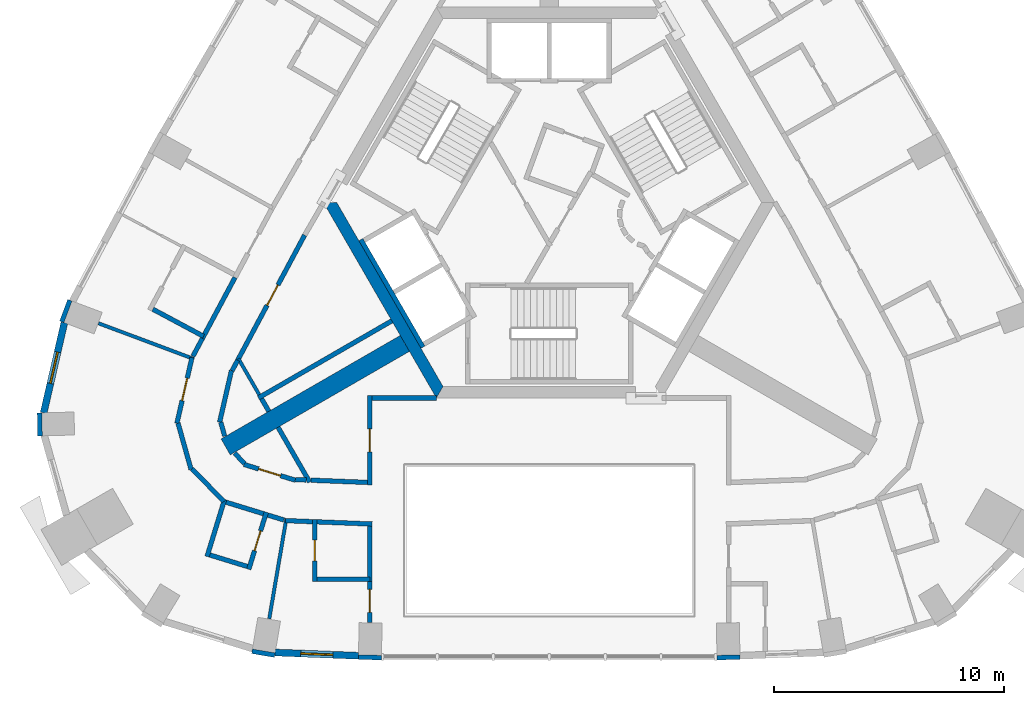
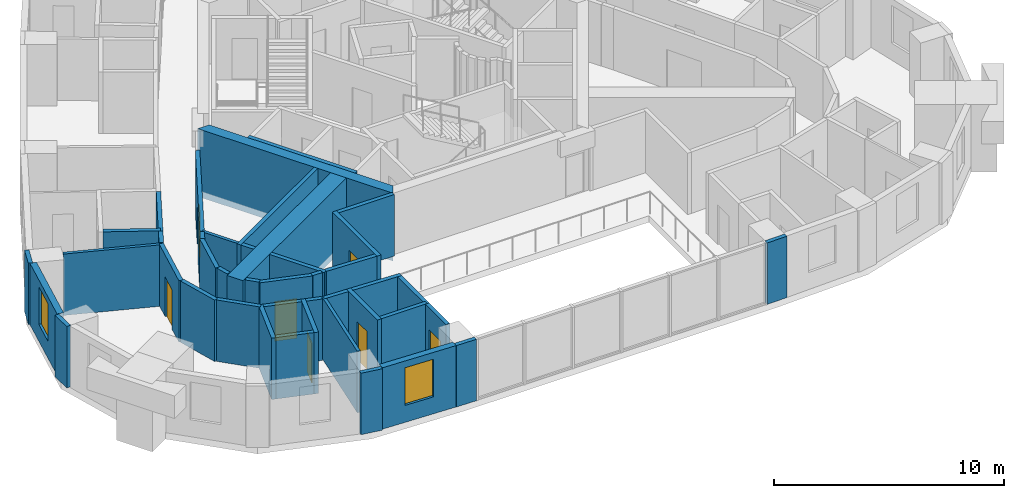
# One storey, part 2 of 10: 43 walls, 7 doors, 2 windows, 9 openings.
"""IFC4 building model written with IfcOpenShell, lengths in metres."""

from ifc_helpers import new_model, si_unit, direction, frame, frame_2d, origin, place, context, subcontext, project, spatial, polyline, rectangle, outline, extrude, material, layer, layer_set, type_object, element, fill, save


model = new_model("IFC4")

# Units and contexts
model_context = context("Model", 3, precision=1e-05, world=origin(), true_north=direction((0.0, 1.0)))
body_context = subcontext(model_context, "Body", "Model", "MODEL_VIEW")
ifc_project = project(units=[si_unit("LENGTHUNIT", "METRE"), si_unit("AREAUNIT", "SQUARE_METRE"), si_unit("VOLUMEUNIT", "CUBIC_METRE"), si_unit("PLANEANGLEUNIT", "RADIAN"), si_unit("MASSUNIT", "GRAM", prefix="KILO")], contexts=[model_context])

# Site, building, storey
site_placement = place(None, origin())
site = spatial("IfcSite", under=ifc_project, at=site_placement, CompositionType="ELEMENT")
building_placement = place(site_placement, origin())
building = spatial("IfcBuilding", under=site, at=building_placement, Name="Entoto Arch Interchange Tower", CompositionType="ELEMENT")
storey_placement = place(building_placement, frame((0.0, 0.0, 293.60009765625)))
storey = spatial("IfcBuildingStorey", under=building, at=storey_placement, Name="L68", CompositionType="ELEMENT", Elevation=293.60009765625)

# Walls
ifc_material_1 = material(Name="Concrete C40/50", Category="concrete")
ifc_layer_1 = layer(ifc_material_1, 0.800048828125)
ifc_layer_set_1 = layer_set([ifc_layer_1], Name="Concrete C40/50")
wall_type_1 = type_object("IfcWallType", Name="Buttress wall 800 C40/50", PredefinedType="SHEAR", material=ifc_layer_set_1)
wall_1_placement = place(storey_placement, frame((-6.279052734375, -3.625, -0.340087890625), z_axis=(0.0, 0.0, 1.0), x_axis=(-0.866017533419, -0.500013631625, 0.0)))
element("IfcWall", 1, at=wall_1_placement, inside=storey, type_object=wall_type_1, Name="Buttress wall SW L68", PredefinedType="SHEAR", context=body_context, shape_type="SweptSolid", body=[
    extrude(rectangle(XDim=8.999755859375, YDim=0.800048828125, at=frame_2d((4.5, 0.0))), origin(), (0.0, 0.0, 1.0), 3.60009765625),
])
ifc_layer_2 = layer(ifc_material_1, 0.5)
ifc_layer_set_2 = layer_set([ifc_layer_2], Name="Concrete C40/50")
wall_type_2 = type_object("IfcWallType", Name="Core wall 500 C40/50", PredefinedType="SHEAR", material=ifc_layer_set_2)
wall_2_placement = place(storey_placement, frame((0.0, 0.0, -0.340087890625)))
element("IfcWall", 2, at=wall_2_placement, inside=storey, type_object=wall_type_2, Name="Core wall SW L68", PredefinedType="SHEAR", context=body_context, shape_type="SweptSolid", body=[
    extrude(outline(polyline([(-9.81494140625, 2.5), (-4.906982421875, -6.0), (-4.618896484375, -5.5), (-9.238037109375, 2.5), (-9.81494140625, 2.5)])), origin(), (0.0, 0.0, 1.0), 3.60009765625),
])
ifc_layer_3 = layer(ifc_material_1, 0.199951171875)
ifc_layer_set_3 = layer_set([ifc_layer_3], Name="Concrete C40/50")
wall_type_3 = type_object("IfcWallType", Name="LIFT SHAFT WALL 200", PredefinedType="STANDARD", material=ifc_layer_set_3)
wall_3_placement = place(storey_placement, frame((-8.19189453125, 0.887939453125, 0.0), z_axis=(0.0, 0.0, 1.0), x_axis=(0.500034260056, -0.866005622828, 0.0)))
element("IfcWall", 3, at=wall_3_placement, inside=storey, type_object=wall_type_3, Name="Shaft wall SW1 back", PredefinedType="STANDARD", context=body_context, shape_type="SweptSolid", body=[
    extrude(rectangle(XDim=5.3994140625, YDim=0.199951171875, at=frame_2d((2.69970703125, 0.0))), origin(), (0.0, 0.0, 1.0), 3.260009765625),
])
ifc_material_2 = material(Name="Gypsum board partition on steel studs", Category="steel")
ifc_layer_4 = layer(ifc_material_2, 0.14990234375)
ifc_layer_set_4 = layer_set([ifc_layer_4], Name="Gypsum board partition on steel studs")
wall_type_4 = type_object("IfcWallType", Name="PARTITION 150", PredefinedType="PARTITIONING", material=ifc_layer_set_4)
wall_4_placement = place(storey_placement, frame((-12.611083984375, -5.85693359375, 0.0), z_axis=(0.0, 0.0, 1.0), x_axis=(-0.500120037633, 0.865956088932, 0.0)))
element("IfcWall", 4, at=wall_4_placement, inside=storey, type_object=wall_type_4, Name="wall:L68:p083", PredefinedType="PARTITIONING", context=body_context, shape_type="SweptSolid", body=[
    extrude(rectangle(XDim=1.80712890625, YDim=0.14990234375, at=frame_2d((0.903564453125, 0.0))), origin(), (0.0, 0.0, 1.0), 3.260009765625),
])
wall_5_placement = place(storey_placement, frame((-15.449951171875, -4.303955078125, 0.0), z_axis=(0.0, 0.0, 1.0), x_axis=(-0.936458128132, 0.350779381172, 0.0)))
element("IfcWall", 5, at=wall_5_placement, inside=storey, type_object=wall_type_4, Name="wall:L68:p126", PredefinedType="PARTITIONING", context=body_context, shape_type="SweptSolid", body=[
    extrude(rectangle(XDim=4.432861328125, YDim=0.14990234375, at=frame_2d((2.21630859375, 0.0))), origin(), (0.0, 0.0, 1.0), 3.260009765625),
])
wall_6_placement = place(storey_placement, frame((-11.431884765625, -11.23388671875, 0.0), z_axis=(0.0, 0.0, 1.0), x_axis=(-0.16797255243, -0.98579167253, 0.0)))
element("IfcWall", 6, at=wall_6_placement, inside=storey, type_object=wall_type_4, Name="wall:L68:p130", PredefinedType="PARTITIONING", context=body_context, shape_type="SweptSolid", body=[
    extrude(rectangle(XDim=4.43017578125, YDim=0.14990234375, at=frame_2d((2.215087890625, 0.0))), origin(), (0.0, 0.0, 1.0), 3.260009765625),
])

# Wall, opening, door
ifc_layer_5 = layer(ifc_material_2, 0.199951171875)
ifc_layer_set_5 = layer_set([ifc_layer_5], Name="Gypsum board partition on steel studs")
wall_type_5 = type_object("IfcWallType", Name="PARTITION 200", PredefinedType="PARTITIONING", material=ifc_layer_set_5)
wall_7_placement = place(storey_placement, frame((-10.638916015625, 1.083984375, 0.0), z_axis=(0.0, 0.0, 1.0), x_axis=(-0.471696599276, -0.881760918975, 0.0)))
wall_7 = element("IfcWall", 7, at=wall_7_placement, inside=storey, type_object=wall_type_5, Name="wall:L68:p022", PredefinedType="PARTITIONING", context=body_context, shape_type="SweptSolid", body=[
    extrude(rectangle(XDim=6.171630859375, YDim=0.199951171875, at=frame_2d((3.0859375, 0.0))), origin(), (0.0, 0.0, 1.0), 3.260009765625),
])
opening_1_placement = place(wall_7_placement, frame((2.4580078125, 0.0, 0.0)))
opening_1 = element("IfcOpeningElement", 8, at=opening_1_placement, cuts=wall_7, Name="Opening L68-D31", PredefinedType="OPENING", context=body_context, shape_type="SweptSolid", body=[
    extrude(rectangle(XDim=1.0, YDim=2.10009765625, at=frame_2d((0.5, 1.050048828125))), frame((0.0, 0.10986328125, 0.0), z_axis=(0.0, -1.0, 0.0), x_axis=(1.0, 0.0, 0.0)), (0.0, 0.0, 1.0), 0.219970703125),
])
ifc_material_3 = material(Name="Timber door leaf in Steel S235 frame", Category="steel")
door_type_1 = type_object("IfcDoorType", Name="DOOR DS-10 1000x2100", OperationType="SINGLE_SWING_LEFT", PredefinedType="DOOR", material=ifc_material_3)
door_1_placement = place(opening_1_placement, origin())
door_1 = element("IfcDoor", 9, at=door_1_placement, inside=storey, type_object=door_type_1, Name="door:L68:31", OperationType="SINGLE_SWING_LEFT", OverallHeight=2.10009765625, OverallWidth=1.0, PredefinedType="DOOR", context=body_context, shape_type="SweptSolid", body=[
    extrude(rectangle(XDim=1.0, YDim=2.10009765625, at=frame_2d((0.5, 1.050048828125))), frame((0.0, 0.02490234375, 0.0), z_axis=(0.0, -1.0, 0.0), x_axis=(1.0, 0.0, 0.0)), (0.0, 0.0, 1.0), 0.050048828125),
])
fill(opening_1, door_1)

# Walls
wall_8_placement = place(storey_placement, frame((-10.366943359375, -9.573974609375, 0.0), z_axis=(0.0, 0.0, 1.0), x_axis=(0.999229139158, -0.039257196264, 0.0)))
element("IfcWall", 10, at=wall_8_placement, inside=storey, type_object=wall_type_5, Name="wall:L68:p023", PredefinedType="PARTITIONING", context=body_context, shape_type="SweptSolid", body=[
    extrude(rectangle(XDim=2.468994140625, YDim=0.199951171875, at=frame_2d((1.234375, 0.0))), origin(), (0.0, 0.0, 1.0), 3.260009765625),
])
wall_9_placement = place(storey_placement, frame((-13.550048828125, -4.35791015625, 0.0), z_axis=(0.0, 0.0, 1.0), x_axis=(-0.472169364753, -0.881507850781, 0.0)))
element("IfcWall", 11, at=wall_9_placement, inside=storey, type_object=wall_type_5, Name="wall:L68:p024", PredefinedType="PARTITIONING", context=body_context, shape_type="SweptSolid", body=[
    extrude(rectangle(XDim=0.520751953125, YDim=0.199951171875, at=frame_2d((0.26025390625, 0.0))), origin(), (0.0, 0.0, 1.0), 3.260009765625),
])
wall_10_placement = place(storey_placement, frame((-13.821044921875, -4.80810546875, 0.0), z_axis=(0.0, 0.0, 1.0), x_axis=(-0.223248099856, -0.97476165595, 0.0)))
element("IfcWall", 12, at=wall_10_placement, inside=storey, type_object=wall_type_5, Name="wall:L68:p025", PredefinedType="PARTITIONING", context=body_context, shape_type="SweptSolid", body=[
    extrude(rectangle(XDim=2.302001953125, YDim=0.199951171875, at=frame_2d((1.15087890625, 0.0))), origin(), (0.0, 0.0, 1.0), 3.260009765625),
])
wall_11_placement = place(storey_placement, frame((-14.285888671875, -7.051025390625, 0.0), z_axis=(0.0, 0.0, 1.0), x_axis=(0.270633612894, -0.96268242301, 0.0)))
element("IfcWall", 13, at=wall_11_placement, inside=storey, type_object=wall_type_5, Name="wall:L68:p026", PredefinedType="PARTITIONING", context=body_context, shape_type="SweptSolid", body=[
    extrude(rectangle(XDim=0.631591796875, YDim=0.199951171875, at=frame_2d((0.31591796875, 0.0))), origin(), (0.0, 0.0, 1.0), 3.260009765625),
])
wall_12_placement = place(storey_placement, frame((-13.68994140625, -8.39501953125, 0.0), z_axis=(0.0, 0.0, 1.0), x_axis=(0.698333537371, -0.715772499181, 0.0)))
element("IfcWall", 14, at=wall_12_placement, inside=storey, type_object=wall_type_5, Name="wall:L68:p027", PredefinedType="PARTITIONING", context=body_context, shape_type="SweptSolid", body=[
    extrude(rectangle(XDim=0.6298828125, YDim=0.199951171875, at=frame_2d((0.31494140625, 0.0))), origin(), (0.0, 0.0, 1.0), 3.260009765625),
])

# Wall, opening, door
wall_13_placement = place(storey_placement, frame((-13.27490234375, -8.887939453125, 0.0), z_axis=(0.0, 0.0, 1.0), x_axis=(0.955792602122, -0.294041666654, 0.0)))
wall_13 = element("IfcWall", 15, at=wall_13_placement, inside=storey, type_object=wall_type_5, Name="wall:L68:p028", PredefinedType="PARTITIONING", context=body_context, shape_type="SweptSolid", body=[
    extrude(rectangle(XDim=2.329833984375, YDim=0.199951171875, at=frame_2d((1.1650390625, 0.0))), origin(), (0.0, 0.0, 1.0), 3.260009765625),
])
opening_2_placement = place(wall_13_placement, frame((0.6650390625, 0.0, 0.0)))
opening_2 = element("IfcOpeningElement", 16, at=opening_2_placement, cuts=wall_13, Name="Opening L68-D33", PredefinedType="OPENING", context=body_context, shape_type="SweptSolid", body=[
    extrude(rectangle(XDim=1.0, YDim=2.10009765625, at=frame_2d((0.5, 1.050048828125))), frame((0.0, 0.10986328125, 0.0), z_axis=(0.0, -1.0, 0.0), x_axis=(1.0, 0.0, 0.0)), (0.0, 0.0, 1.0), 0.219970703125),
])
door_2_placement = place(opening_2_placement, origin())
door_2 = element("IfcDoor", 17, at=door_2_placement, inside=storey, type_object=door_type_1, Name="door:L68:33", OperationType="SINGLE_SWING_LEFT", OverallHeight=2.10009765625, OverallWidth=1.0, PredefinedType="DOOR", context=body_context, shape_type="SweptSolid", body=[
    extrude(rectangle(XDim=1.0, YDim=2.10009765625, at=frame_2d((0.5, 1.050048828125))), frame((0.0, 0.02490234375, 0.0), z_axis=(0.0, -1.0, 0.0), x_axis=(1.0, 0.0, 0.0)), (0.0, 0.0, 1.0), 0.050048828125),
])
fill(opening_2, door_2)

# Walls
wall_14_placement = place(storey_placement, frame((-11.0439453125, -9.547119140625, 0.0), z_axis=(0.0, 0.0, 1.0), x_axis=(0.999224473046, -0.039375785274, 0.0)))
element("IfcWall", 18, at=wall_14_placement, inside=storey, type_object=wall_type_5, Name="wall:L68:p029", PredefinedType="PARTITIONING", context=body_context, shape_type="SweptSolid", body=[
    extrude(rectangle(XDim=0.4775390625, YDim=0.199951171875, at=frame_2d((0.23876953125, 0.0))), origin(), (0.0, 0.0, 1.0), 3.260009765625),
])
wall_15_placement = place(storey_placement, frame((-15.49609375, -4.179931640625, 0.0), z_axis=(0.0, 0.0, 1.0), x_axis=(0.471280380621, 0.881983448167, 0.0)))
element("IfcWall", 19, at=wall_15_placement, inside=storey, type_object=wall_type_5, Name="wall:L68:p052", PredefinedType="PARTITIONING", context=body_context, shape_type="SweptSolid", body=[
    extrude(rectangle(XDim=0.878662109375, YDim=0.199951171875, at=frame_2d((0.439453125, 0.0))), origin(), (0.0, 0.0, 1.0), 3.260009765625),
])
wall_16_placement = place(storey_placement, frame((-15.08203125, -3.405029296875, 0.0), z_axis=(0.0, 0.0, 1.0), x_axis=(0.471719946084, 0.88174842924, 0.0)))
element("IfcWall", 20, at=wall_16_placement, inside=storey, type_object=wall_type_5, Name="wall:L68:p053", PredefinedType="PARTITIONING", context=body_context, shape_type="SweptSolid", body=[
    extrude(rectangle(XDim=2.999755859375, YDim=0.199951171875, at=frame_2d((1.5, 0.0))), origin(), (0.0, 0.0, 1.0), 3.260009765625),
])
wall_17_placement = place(storey_placement, frame((-11.5439453125, -11.302978515625, 0.0), z_axis=(0.0, 0.0, 1.0), x_axis=(-0.956186468463, 0.292758326147, 0.0)))
element("IfcWall", 21, at=wall_17_placement, inside=storey, type_object=wall_type_5, Name="wall:L68:p054", PredefinedType="PARTITIONING", context=body_context, shape_type="SweptSolid", body=[
    extrude(rectangle(XDim=0.723876953125, YDim=0.199951171875, at=frame_2d((0.36181640625, 0.0))), origin(), (0.0, 0.0, 1.0), 3.260009765625),
])
wall_18_placement = place(storey_placement, frame((-14.14697265625, -10.5029296875, 0.0), z_axis=(0.0, 0.0, 1.0), x_axis=(-0.698515752779, 0.715594677957, 0.0)))
element("IfcWall", 22, at=wall_18_placement, inside=storey, type_object=wall_type_5, Name="wall:L68:p055", PredefinedType="PARTITIONING", context=body_context, shape_type="SweptSolid", body=[
    extrude(rectangle(XDim=1.987060546875, YDim=0.199951171875, at=frame_2d((0.99365234375, 0.0))), origin(), (0.0, 0.0, 1.0), 3.260009765625),
])
wall_19_placement = place(storey_placement, frame((-15.577880859375, -9.10595703125, 0.0), z_axis=(0.0, 0.0, 1.0), x_axis=(-0.270688011946, 0.962667128445, 0.0)))
element("IfcWall", 23, at=wall_19_placement, inside=storey, type_object=wall_type_5, Name="wall:L68:p056", PredefinedType="PARTITIONING", context=body_context, shape_type="SweptSolid", body=[
    extrude(rectangle(XDim=2.087890625, YDim=0.199951171875, at=frame_2d((1.0439453125, 0.0))), origin(), (0.0, 0.0, 1.0), 3.260009765625),
])

# Wall, opening, door
wall_20_placement = place(storey_placement, frame((-16.19189453125, -7.097900390625, 0.0), z_axis=(0.0, 0.0, 1.0), x_axis=(0.22330023395, 0.974749714295, 0.0)))
wall_20 = element("IfcWall", 24, at=wall_20_placement, inside=storey, type_object=wall_type_5, Name="wall:L68:p057", PredefinedType="PARTITIONING", context=body_context, shape_type="SweptSolid", body=[
    extrude(rectangle(XDim=2.927978515625, YDim=0.199951171875, at=frame_2d((1.4638671875, 0.0))), origin(), (0.0, 0.0, 1.0), 3.260009765625),
])
opening_3_placement = place(wall_20_placement, frame((1.013916015625, 0.0, 0.0)))
opening_3 = element("IfcOpeningElement", 25, at=opening_3_placement, cuts=wall_20, Name="Opening L68-D24", PredefinedType="OPENING", context=body_context, shape_type="SweptSolid", body=[
    extrude(rectangle(XDim=1.0, YDim=2.10009765625, at=frame_2d((0.5, 1.050048828125))), frame((0.0, 0.10986328125, 0.0), z_axis=(0.0, -1.0, 0.0), x_axis=(1.0, 0.0, 0.0)), (0.0, 0.0, 1.0), 0.219970703125),
])
ifc_material_4 = material(Name="Fire-rated Steel S235 door and frame", Category="steel")
door_type_2 = type_object("IfcDoorType", Name="DOOR FD-10 1000x2100", OperationType="SINGLE_SWING_LEFT", PredefinedType="DOOR", material=ifc_material_4)
door_3_placement = place(opening_3_placement, origin())
door_3 = element("IfcDoor", 26, at=door_3_placement, inside=storey, type_object=door_type_2, Name="door:L68:24", OperationType="SINGLE_SWING_LEFT", OverallHeight=2.10009765625, OverallWidth=1.0, PredefinedType="DOOR", context=body_context, shape_type="SweptSolid", body=[
    extrude(rectangle(XDim=1.0, YDim=2.10009765625, at=frame_2d((0.5, 1.050048828125))), frame((0.0, 0.02490234375, 0.0), z_axis=(0.0, -1.0, 0.0), x_axis=(1.0, 0.0, 0.0)), (0.0, 0.0, 1.0), 0.050048828125),
])
fill(opening_3, door_3)

# Walls
wall_21_placement = place(storey_placement, frame((-12.427001953125, -11.031982421875, 0.0), z_axis=(0.0, 0.0, 1.0), x_axis=(-0.955940341053, 0.293561006177, 0.0)))
element("IfcWall", 27, at=wall_21_placement, inside=storey, type_object=wall_type_5, Name="wall:L68:p058", PredefinedType="PARTITIONING", context=body_context, shape_type="SweptSolid", body=[
    extrude(rectangle(XDim=1.699951171875, YDim=0.199951171875, at=frame_2d((0.85009765625, 0.0))), origin(), (0.0, 0.0, 1.0), 3.260009765625),
])
wall_22_placement = place(storey_placement, frame((-10.299072265625, -11.3779296875, 0.0), z_axis=(0.0, 0.0, 1.0), x_axis=(-0.999237995813, 0.03903111224, 0.0)))
element("IfcWall", 28, at=wall_22_placement, inside=storey, type_object=wall_type_5, Name="wall:L68:p059", PredefinedType="PARTITIONING", context=body_context, shape_type="SweptSolid", body=[
    extrude(rectangle(XDim=1.176025390625, YDim=0.199951171875, at=frame_2d((0.587890625, 0.0))), origin(), (0.0, 0.0, 1.0), 3.260009765625),
])
wall_23_placement = place(storey_placement, frame((-7.699951171875, -11.47998046875, 0.0), z_axis=(0.0, 0.0, 1.0), x_axis=(-0.999233433291, 0.039147743138, 0.0)))
element("IfcWall", 29, at=wall_23_placement, inside=storey, type_object=wall_type_5, Name="wall:L68:p060", PredefinedType="PARTITIONING", context=body_context, shape_type="SweptSolid", body=[
    extrude(rectangle(XDim=2.401123046875, YDim=0.199951171875, at=frame_2d((1.20068359375, 0.0))), origin(), (0.0, 0.0, 1.0), 3.260009765625),
])

# Wall, opening, door
wall_24_placement = place(storey_placement, frame((-7.800048828125, -9.77490234375, 0.0), z_axis=(0.0, 0.0, 1.0), x_axis=(0.0, 1.0, 0.0)))
wall_24 = element("IfcWall", 30, at=wall_24_placement, inside=storey, type_object=wall_type_5, Name="wall:L68:p075", PredefinedType="PARTITIONING", context=body_context, shape_type="SweptSolid", body=[
    extrude(rectangle(XDim=3.8759765625, YDim=0.199951171875, at=frame_2d((1.93798828125, 0.0))), origin(), (0.0, 0.0, 1.0), 3.260009765625),
])
opening_4_placement = place(wall_24_placement, frame((1.43798828125, 0.0, 0.0)))
opening_4 = element("IfcOpeningElement", 31, at=opening_4_placement, cuts=wall_24, Name="Opening L68-D32", PredefinedType="OPENING", context=body_context, shape_type="SweptSolid", body=[
    extrude(rectangle(XDim=1.0, YDim=2.10009765625, at=frame_2d((0.5, 1.050048828125))), frame((0.0, 0.10986328125, 0.0), z_axis=(0.0, -1.0, 0.0), x_axis=(1.0, 0.0, 0.0)), (0.0, 0.0, 1.0), 0.219970703125),
])
door_4_placement = place(opening_4_placement, origin())
door_4 = element("IfcDoor", 32, at=door_4_placement, inside=storey, type_object=door_type_1, Name="door:L68:32", OperationType="SINGLE_SWING_LEFT", OverallHeight=2.10009765625, OverallWidth=1.0, PredefinedType="DOOR", context=body_context, shape_type="SweptSolid", body=[
    extrude(rectangle(XDim=1.0, YDim=2.10009765625, at=frame_2d((0.5, 1.050048828125))), frame((0.0, 0.02490234375, 0.0), z_axis=(0.0, -1.0, 0.0), x_axis=(1.0, 0.0, 0.0)), (0.0, 0.0, 1.0), 0.050048828125),
])
fill(opening_4, door_4)

# Wall
wall_25_placement = place(storey_placement, frame((-7.699951171875, -5.9990234375, 0.0), z_axis=(0.0, 0.0, 1.0), x_axis=(1.0, 0.0, 0.0)))
element("IfcWall", 33, at=wall_25_placement, inside=storey, type_object=wall_type_5, Name="wall:L68:p076", PredefinedType="PARTITIONING", context=body_context, shape_type="SweptSolid", body=[
    extrude(rectangle(XDim=2.7919921875, YDim=0.199951171875, at=frame_2d((1.39599609375, 0.0))), origin(), (0.0, 0.0, 1.0), 3.260009765625),
])

# Wall, opening, door
wall_26_placement = place(storey_placement, frame((-7.800048828125, -15.760986328125, 0.0), z_axis=(0.0, 0.0, 1.0), x_axis=(0.0, 1.0, 0.0)))
wall_26 = element("IfcWall", 34, at=wall_26_placement, inside=storey, type_object=wall_type_5, Name="wall:L68:p079", PredefinedType="PARTITIONING", context=body_context, shape_type="SweptSolid", body=[
    extrude(rectangle(XDim=1.784912109375, YDim=0.199951171875, at=frame_2d((0.892578125, 0.0))), origin(), (0.0, 0.0, 1.0), 3.260009765625),
])
opening_5_placement = place(wall_26_placement, frame((0.44189453125, 0.0, 0.0)))
opening_5 = element("IfcOpeningElement", 35, at=opening_5_placement, cuts=wall_26, Name="Opening L68-D26", PredefinedType="OPENING", context=body_context, shape_type="SweptSolid", body=[
    extrude(rectangle(XDim=1.0, YDim=2.10009765625, at=frame_2d((0.5, 1.050048828125))), frame((0.0, 0.10986328125, 0.0), z_axis=(0.0, -1.0, 0.0), x_axis=(1.0, 0.0, 0.0)), (0.0, 0.0, 1.0), 0.219970703125),
])
door_5_placement = place(opening_5_placement, origin())
door_5 = element("IfcDoor", 36, at=door_5_placement, inside=storey, type_object=door_type_2, Name="door:L68:26", OperationType="SINGLE_SWING_RIGHT", OverallHeight=2.10009765625, OverallWidth=1.0, PredefinedType="DOOR", context=body_context, shape_type="SweptSolid", body=[
    extrude(rectangle(XDim=1.0, YDim=2.10009765625, at=frame_2d((0.5, 1.050048828125))), frame((0.0, 0.02490234375, 0.0), z_axis=(0.0, -1.0, 0.0), x_axis=(1.0, 0.0, 0.0)), (0.0, 0.0, 1.0), 0.050048828125),
])
fill(opening_5, door_5)

# Walls
wall_27_placement = place(storey_placement, frame((-7.800048828125, -13.97607421875, 0.0), z_axis=(0.0, 0.0, 1.0), x_axis=(0.0, 1.0, 0.0)))
element("IfcWall", 37, at=wall_27_placement, inside=storey, type_object=wall_type_5, Name="wall:L68:p080", PredefinedType="PARTITIONING", context=body_context, shape_type="SweptSolid", body=[
    extrude(rectangle(XDim=2.400146484375, YDim=0.199951171875, at=frame_2d((1.2001953125, 0.0))), origin(), (0.0, 0.0, 1.0), 3.260009765625),
])
wall_28_placement = place(storey_placement, frame((-6.844970703125, -2.64306640625, 0.0), z_axis=(0.0, 0.0, 1.0), x_axis=(-0.865994457699, -0.500053596362, 0.0)))
element("IfcWall", 38, at=wall_28_placement, inside=storey, type_object=wall_type_5, Name="wall:L68:p082", PredefinedType="PARTITIONING", context=body_context, shape_type="SweptSolid", body=[
    extrude(rectangle(XDim=6.700927734375, YDim=0.199951171875, at=frame_2d((3.3505859375, 0.0))), origin(), (0.0, 0.0, 1.0), 3.260009765625),
])
wall_29_placement = place(storey_placement, frame((-10.4169921875, -9.656982421875, 0.0), z_axis=(0.0, 0.0, 1.0), x_axis=(-0.499837531988, 0.866119184418, 0.0)))
element("IfcWall", 39, at=wall_29_placement, inside=storey, type_object=wall_type_5, Name="wall:L68:p084", PredefinedType="PARTITIONING", context=body_context, shape_type="SweptSolid", body=[
    extrude(rectangle(XDim=2.7548828125, YDim=0.199951171875, at=frame_2d((1.37744140625, 0.0))), origin(), (0.0, 0.0, 1.0), 3.260009765625),
])
wall_30_placement = place(storey_placement, frame((-17.239013671875, -2.136962890625, 0.0), z_axis=(0.0, 0.0, 1.0), x_axis=(0.881706262609, -0.471798756332, 0.0)))
element("IfcWall", 40, at=wall_30_placement, inside=storey, type_object=wall_type_5, Name="wall:L68:p125", PredefinedType="PARTITIONING", context=body_context, shape_type="SweptSolid", body=[
    extrude(rectangle(XDim=2.5009765625, YDim=0.199951171875, at=frame_2d((1.25048828125, 0.0))), origin(), (0.0, 0.0, 1.0), 3.260009765625),
])
wall_31_placement = place(storey_placement, frame((-14.117919921875, -10.407958984375, 0.0), z_axis=(0.0, 0.0, 1.0), x_axis=(-0.293914282011, -0.955831781659, 0.0)))
element("IfcWall", 41, at=wall_31_placement, inside=storey, type_object=wall_type_5, Name="wall:L68:p127", PredefinedType="PARTITIONING", context=body_context, shape_type="SweptSolid", body=[
    extrude(rectangle(XDim=2.599853515625, YDim=0.199951171875, at=frame_2d((1.2998046875, 0.0))), origin(), (0.0, 0.0, 1.0), 3.260009765625),
])
wall_32_placement = place(storey_placement, frame((-14.757080078125, -12.826904296875, 0.0), z_axis=(0.0, 0.0, 1.0), x_axis=(0.955940341053, -0.293561006177, 0.0)))
element("IfcWall", 42, at=wall_32_placement, inside=storey, type_object=wall_type_5, Name="wall:L68:p128", PredefinedType="PARTITIONING", context=body_context, shape_type="SweptSolid", body=[
    extrude(rectangle(XDim=1.699951171875, YDim=0.199951171875, at=frame_2d((0.85009765625, 0.0))), origin(), (0.0, 0.0, 1.0), 3.260009765625),
])

# Wall, opening, door
wall_33_placement = place(storey_placement, frame((-13.06591796875, -13.450927734375, 0.0), z_axis=(0.0, 0.0, 1.0), x_axis=(0.293854864179, 0.955850050373, 0.0)))
wall_33 = element("IfcWall", 43, at=wall_33_placement, inside=storey, type_object=wall_type_5, Name="wall:L68:p129", PredefinedType="PARTITIONING", context=body_context, shape_type="SweptSolid", body=[
    extrude(rectangle(XDim=2.599609375, YDim=0.199951171875, at=frame_2d((1.2998046875, 0.0))), origin(), (0.0, 0.0, 1.0), 3.260009765625),
])
opening_6_placement = place(wall_33_placement, frame((0.85009765625, 0.0, 0.0)))
opening_6 = element("IfcOpeningElement", 44, at=opening_6_placement, cuts=wall_33, Name="Opening L68-D25", PredefinedType="OPENING", context=body_context, shape_type="SweptSolid", body=[
    extrude(rectangle(XDim=0.89990234375, YDim=2.10009765625, at=frame_2d((0.449951171875, 1.050048828125))), frame((0.0, 0.10986328125, 0.0), z_axis=(0.0, -1.0, 0.0), x_axis=(1.0, 0.0, 0.0)), (0.0, 0.0, 1.0), 0.219970703125),
])
door_type_3 = type_object("IfcDoorType", Name="DOOR DS-09 900x2100", OperationType="SINGLE_SWING_LEFT", PredefinedType="DOOR", material=ifc_material_3)
door_6_placement = place(opening_6_placement, origin())
door_6 = element("IfcDoor", 45, at=door_6_placement, inside=storey, type_object=door_type_3, Name="door:L68:25", OperationType="SINGLE_SWING_LEFT", OverallHeight=2.10009765625, OverallWidth=0.89990234375, PredefinedType="DOOR", context=body_context, shape_type="SweptSolid", body=[
    extrude(rectangle(XDim=0.89990234375, YDim=2.10009765625, at=frame_2d((0.449951171875, 1.050048828125))), frame((0.0, 0.02490234375, 0.0), z_axis=(0.0, -1.0, 0.0), x_axis=(1.0, 0.0, 0.0)), (0.0, 0.0, 1.0), 0.050048828125),
])
fill(opening_6, door_6)

wall_34_placement = place(storey_placement, frame((-10.198974609375, -11.281982421875, 0.0), z_axis=(0.0, 0.0, 1.0), x_axis=(-0.000362482985, -0.999999934303, 0.0)))
wall_34 = element("IfcWall", 46, at=wall_34_placement, inside=storey, type_object=wall_type_5, Name="wall:L68:p131", PredefinedType="PARTITIONING", context=body_context, shape_type="SweptSolid", body=[
    extrude(rectangle(XDim=2.694091796875, YDim=0.199951171875, at=frame_2d((1.34716796875, 0.0))), origin(), (0.0, 0.0, 1.0), 3.260009765625),
])
opening_7_placement = place(wall_34_placement, frame((0.89697265625, 0.0, 0.0)))
opening_7 = element("IfcOpeningElement", 47, at=opening_7_placement, cuts=wall_34, Name="Opening L68-D27", PredefinedType="OPENING", context=body_context, shape_type="SweptSolid", body=[
    extrude(rectangle(XDim=0.89990234375, YDim=2.10009765625, at=frame_2d((0.449951171875, 1.050048828125))), frame((0.0, 0.10986328125, 0.0), z_axis=(0.0, -1.0, 0.0), x_axis=(1.0, 0.0, 0.0)), (0.0, 0.0, 1.0), 0.219970703125),
])
door_7_placement = place(opening_7_placement, origin())
door_7 = element("IfcDoor", 48, at=door_7_placement, inside=storey, type_object=door_type_3, Name="door:L68:27", OperationType="SINGLE_SWING_LEFT", OverallHeight=2.10009765625, OverallWidth=0.89990234375, PredefinedType="DOOR", context=body_context, shape_type="SweptSolid", body=[
    extrude(rectangle(XDim=0.89990234375, YDim=2.10009765625, at=frame_2d((0.449951171875, 1.050048828125))), frame((0.0, 0.02490234375, 0.0), z_axis=(0.0, -1.0, 0.0), x_axis=(1.0, 0.0, 0.0)), (0.0, 0.0, 1.0), 0.050048828125),
])
fill(opening_7, door_7)

# Walls
wall_35_placement = place(storey_placement, frame((-10.10009765625, -13.8759765625, 0.0), z_axis=(0.0, 0.0, 1.0), x_axis=(1.0, 0.0, 0.0)))
element("IfcWall", 49, at=wall_35_placement, inside=storey, type_object=wall_type_5, Name="wall:L68:p132", PredefinedType="PARTITIONING", context=body_context, shape_type="SweptSolid", body=[
    extrude(rectangle(XDim=2.300048828125, YDim=0.199951171875, at=frame_2d((1.14990234375, 0.0))), origin(), (0.0, 0.0, 1.0), 3.260009765625),
])
wall_36_placement = place(storey_placement, frame((-12.194091796875, -6.577880859375, 0.0), z_axis=(0.0, 0.0, 1.0), x_axis=(-0.500701704226, 0.865619895442, 0.0)))
element("IfcWall", 50, at=wall_36_placement, inside=storey, type_object=wall_type_5, Name="wall:L68:p084", PredefinedType="PARTITIONING", context=body_context, shape_type="SweptSolid", body=[
    extrude(rectangle(XDim=0.6328125, YDim=0.199951171875, at=frame_2d((0.31640625, 0.0))), origin(), (0.0, 0.0, 1.0), 3.260009765625),
])

# Wall, opening, window
ifc_material_5 = material(Name="Welded tuff (ignimbrite) cladding, warm buff", Category="masonry")
ifc_layer_6 = layer(ifc_material_5, 0.300048828125)
ifc_layer_set_6 = layer_set([ifc_layer_6], Name="Welded tuff (ignimbrite) cladding, warm buff")
wall_type_6 = type_object("IfcWallType", Name="STONE INFILL WALL 300", PredefinedType="STANDARD", material=ifc_layer_set_6)
wall_37_placement = place(storey_placement, frame((-11.919921875, -17.069091796875, 0.0), z_axis=(0.0, 0.0, 1.0), x_axis=(0.999234893779, -0.039110446866, 0.0)))
wall_37 = element("IfcWall", 51, at=wall_37_placement, inside=storey, type_object=wall_type_6, Name="Facade wall S-01 L68", PredefinedType="STANDARD", context=body_context, shape_type="SweptSolid", body=[
    extrude(rectangle(XDim=3.626708984375, YDim=0.300048828125, at=frame_2d((1.8134765625, 0.0))), origin(), (0.0, 0.0, 1.0), 3.260009765625),
])
opening_8_placement = place(wall_37_placement, frame((1.113037109375, 0.0, 0.89990234375)))
opening_8 = element("IfcOpeningElement", 52, at=opening_8_placement, cuts=wall_37, Name="Opening WH-B", PredefinedType="OPENING", context=body_context, shape_type="SweptSolid", body=[
    extrude(rectangle(XDim=1.39990234375, YDim=2.0, at=frame_2d((0.699951171875, 1.0))), frame((0.0, 0.16015625, 0.0), z_axis=(0.0, -1.0, 0.0), x_axis=(1.0, 0.0, 0.0)), (0.0, 0.0, 1.0), 0.320068359375),
])
ifc_material_6 = material(Name="Clear glass, low-e double glazed", Category="glass")
window_type = type_object("IfcWindowType", Name="WINDOW WH-B 1400x2000", PartitioningType="DOUBLE_PANEL_VERTICAL", PredefinedType="WINDOW", material=ifc_material_6)
window_1_placement = place(opening_8_placement, origin())
window_1 = element("IfcWindow", 53, at=window_1_placement, inside=storey, type_object=window_type, Name="Window WH-B S-01 L68", OverallHeight=2.0, OverallWidth=1.39990234375, PartitioningType="SINGLE_PANEL", PredefinedType="WINDOW", context=body_context, shape_type="SweptSolid", body=[
    extrude(rectangle(XDim=1.39990234375, YDim=2.0, at=frame_2d((0.699951171875, 1.0))), frame((0.0, 0.030029296875, 0.0), z_axis=(0.0, -1.0, 0.0), x_axis=(1.0, 0.0, 0.0)), (0.0, 0.0, 1.0), 0.06005859375),
])
fill(opening_8, window_1)

wall_38_placement = place(storey_placement, frame((-21.089111328125, -2.72509765625, 0.0), z_axis=(0.0, 0.0, 1.0), x_axis=(-0.223448307338, -0.974715781112, 0.0)))
wall_38 = element("IfcWall", 54, at=wall_38_placement, inside=storey, type_object=wall_type_6, Name="Facade wall SW-01 L68", PredefinedType="STANDARD", context=body_context, shape_type="SweptSolid", body=[
    extrude(rectangle(XDim=4.0185546875, YDim=0.300048828125, at=frame_2d((2.00927734375, 0.0))), origin(), (0.0, 0.0, 1.0), 3.260009765625),
])
opening_9_placement = place(wall_38_placement, frame((1.30908203125, 0.0, 0.89990234375)))
opening_9 = element("IfcOpeningElement", 55, at=opening_9_placement, cuts=wall_38, Name="Opening WH-B", PredefinedType="OPENING", context=body_context, shape_type="SweptSolid", body=[
    extrude(rectangle(XDim=1.39990234375, YDim=2.0, at=frame_2d((0.699951171875, 1.0))), frame((0.0, 0.16015625, 0.0), z_axis=(0.0, -1.0, 0.0), x_axis=(1.0, 0.0, 0.0)), (0.0, 0.0, 1.0), 0.320068359375),
])
window_2_placement = place(opening_9_placement, origin())
window_2 = element("IfcWindow", 56, at=window_2_placement, inside=storey, type_object=window_type, Name="Window WH-B SW-01 L68", OverallHeight=2.0, OverallWidth=1.39990234375, PartitioningType="SINGLE_PANEL", PredefinedType="WINDOW", context=body_context, shape_type="SweptSolid", body=[
    extrude(rectangle(XDim=1.39990234375, YDim=2.0, at=frame_2d((0.699951171875, 1.0))), frame((0.0, 0.030029296875, 0.0), z_axis=(0.0, -1.0, 0.0), x_axis=(1.0, 0.0, 0.0)), (0.0, 0.0, 1.0), 0.06005859375),
])
fill(opening_9, window_2)

# Walls
ifc_layer_7 = layer(ifc_material_5, 0.199951171875)
ifc_layer_set_7 = layer_set([ifc_layer_7], Name="Welded tuff (ignimbrite) cladding, warm buff")
wall_type_7 = type_object("IfcWallType", Name="STONE PIER CLADDING 200", PredefinedType="STANDARD", material=ifc_layer_set_7)
wall_39_placement = place(storey_placement, frame((-20.84912109375, -1.748046875, 0.0), z_axis=(0.0, 0.0, 1.0), x_axis=(-0.350962844851, -0.936389385637, 0.0)))
element("IfcWall", 57, at=wall_39_placement, inside=storey, type_object=wall_type_7, Name="Stone pier NW04 L68", PredefinedType="STANDARD", context=body_context, shape_type="SweptSolid", body=[
    extrude(rectangle(XDim=0.99951171875, YDim=0.199951171875, at=frame_2d((0.499755859375, 0.0))), origin(), (0.0, 0.0, 1.0), 3.260009765625),
])
for number, where, z_axis, x_axis, name in (
    (58, (-12.924072265625, -17.014892578125, 0.0), (0.0, 0.0, 1.0), (0.985760116403, -0.168157643031, 0.0), "Stone pier S01 L68"),
    (59, (-8.298095703125, -17.27099609375, 0.0), (0.0, 0.0, 1.0), (0.999799669399, -0.020015520725, 0.0), "Stone pier S02 L68"),
    (60, (7.298095703125, -17.291015625, 0.0), (0.0, 0.0, 1.0), (0.999799669399, 0.020015520725, 0.0), "Stone pier S03 L68"),
):
    element("IfcWall", number, at=place(storey_placement, frame(where, z_axis=z_axis, x_axis=x_axis)), inside=storey, type_object=wall_type_7, Name=name, PredefinedType="STANDARD", context=body_context, shape_type="SweptSolid", body=[
        extrude(rectangle(XDim=1.000244140625, YDim=0.199951171875, at=frame_2d((0.5, 0.0))), origin(), (0.0, 0.0, 1.0), 3.260009765625),
    ])
wall_40_placement = place(storey_placement, frame((-22.1689453125, -6.64599609375, 0.0), z_axis=(0.0, 0.0, 1.0), x_axis=(0.023942303888, -0.999713341956, 0.0)))
element("IfcWall", 61, at=wall_40_placement, inside=storey, type_object=wall_type_7, Name="Stone pier SW1 L68", PredefinedType="STANDARD", context=body_context, shape_type="SweptSolid", body=[
    extrude(rectangle(XDim=0.999267578125, YDim=0.199951171875, at=frame_2d((0.49951171875, 0.0))), origin(), (0.0, 0.0, 1.0), 3.260009765625),
])

save(model, "model.ifc")
